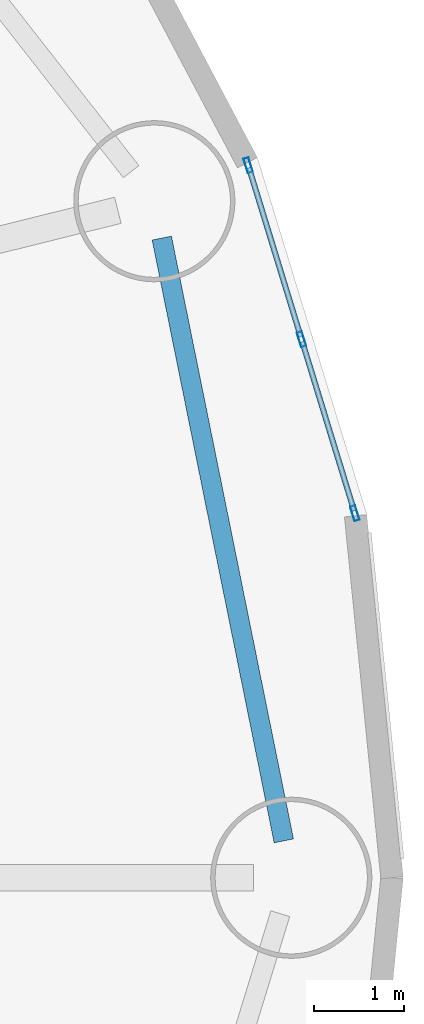
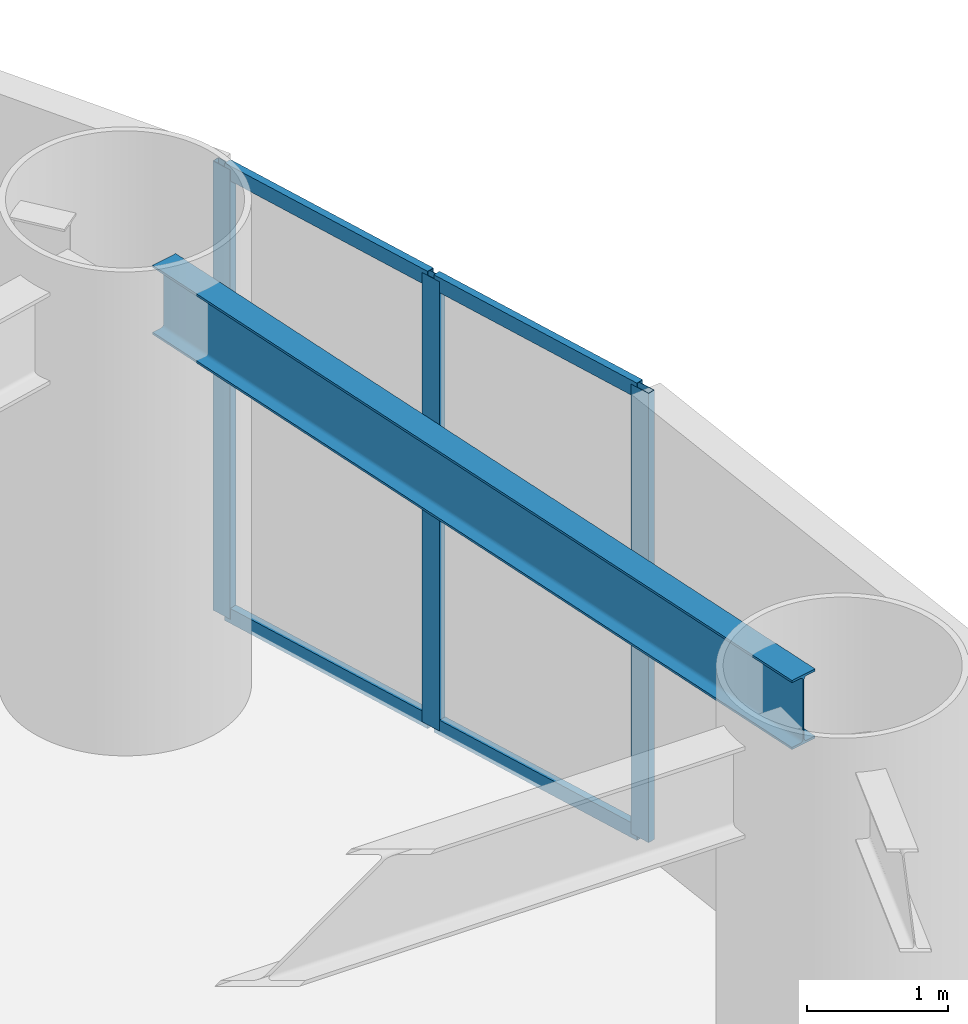
# One storey, part 11 of 27: 7 members, 1 beam, 1 element without a shape of its own.
"""IFC4 building model written with IfcOpenShell, lengths in metres."""

from ifc_helpers import new_model, si_unit, direction, frame, origin, origin_2d, place, context, subcontext, project, spatial, hollow_rectangle, i_section, extrude, source, transform, mapped, material, layer, layer_set, material_profile, profile_set, type_object, element, aggregate, save


model = new_model("IFC4")

# Units and contexts
model_context = context("Model", 3, precision=1e-05, world=origin(), true_north=direction((0.0, 1.0)))
body_context = subcontext(model_context, "Body", "Model", "MODEL_VIEW")
ifc_project = project(units=[si_unit("LENGTHUNIT", "METRE"), si_unit("AREAUNIT", "SQUARE_METRE"), si_unit("VOLUMEUNIT", "CUBIC_METRE"), si_unit("PLANEANGLEUNIT", "RADIAN"), si_unit("MASSUNIT", "GRAM", prefix="KILO")], contexts=[model_context])

# Site, building, storey
site_placement = place(None, origin())
site = spatial("IfcSite", under=ifc_project, at=site_placement, CompositionType="ELEMENT")
building_placement = place(site_placement, origin())
building = spatial("IfcBuilding", under=site, at=building_placement, Name="Linh Dai School and Residence Tower", CompositionType="ELEMENT")
storey_placement = place(building_placement, frame((0.0, 0.0, 18.60009765625)))
storey = spatial("IfcBuildingStorey", under=building, at=storey_placement, Name="L04", CompositionType="ELEMENT", Elevation=18.60009765625)

# Beam
ifc_material_1 = material(Name="Structural Steel S355JR", Category="steel")
ifc_material_profile_1 = material_profile(ifc_material_1, i_section(OverallWidth=0.219970703125, OverallDepth=0.60009765625, WebThickness=0.011962890625, FlangeThickness=0.01904296875, FilletRadius=0.02392578125, at=origin_2d()), Name="IPE 600")
ifc_profile_set_1 = profile_set([ifc_material_profile_1], Name="Structural Steel S355JR")
beam_type = type_object("IfcBeamType", Name="BM-RB60", PredefinedType="BEAM", material=ifc_profile_set_1)
beam_placement = place(storey_placement, frame((67.86669921875, 27.41162109375, 3.599853515625), z_axis=(-0.198405440792, 0.980120034008, 0.0), x_axis=(-0.980120034008, -0.198405440792, 0.0)))
element("IfcBeam", 1, at=beam_placement, inside=storey, type_object=beam_type, Name="L04 Perimeter Elliptical Ring Beam 01", PredefinedType="BEAM", context=body_context, shape_type="SweptSolid", body=[
    extrude(i_section(OverallWidth=0.219970703125, OverallDepth=0.60009765625, WebThickness=0.011962890625, FlangeThickness=0.01904296875, FilletRadius=0.02392578125, at=origin_2d()), origin(), (0.0, 0.0, 1.0), 6.86865234375),
])

# Curtain wall, members
ifc_material_2 = material(Name="Aluminium Anodised Curtain Wall", Category="aluminium")
ifc_layer = layer(ifc_material_2, 0.169921875)
ifc_layer_set = layer_set([ifc_layer], Name="Aluminium Anodised Curtain Wall")
curtain_wall_type = type_object("IfcCurtainWallType", Name="CW-SYS-2", PredefinedType="USERDEFINED", material=ifc_layer_set)
curtain_wall_placement = place(storey_placement, origin())
curtain_wall = element("IfcCurtainWall", 2, at=curtain_wall_placement, inside=storey, type_object=curtain_wall_type, Name="L04 CW2 Curtain Wall 02", ObjectType="UNITISED CURTAIN WALL", PredefinedType="USERDEFINED")
ifc_material_3 = material(Name="Aluminium Alloy 6063-T6", Category="aluminium")
ifc_material_profile_2 = material_profile(ifc_material_3, hollow_rectangle(XDim=0.06005859375, YDim=0.169921875, WallThickness=0.00390625, at=origin_2d()), Name="RHS 170x60x4")
ifc_profile_set_2 = profile_set([ifc_material_profile_2], Name="Aluminium Alloy 6063-T6")
member_type_1 = type_object("IfcMemberType", Name="CW-SYS-2-MUL", PredefinedType="MULLION", material=ifc_profile_set_2)
shared_shape_1 = source(origin(), body_context, "Body", "SweptSolid", [
    extrude(hollow_rectangle(XDim=0.06005859375, YDim=0.169921875, WallThickness=0.00390625, at=origin_2d()), origin(), (0.0, 0.0, 1.0), 3.89990234375),
])
member_1_placement = place(storey_placement, frame((67.468505859375, 34.957763671875, 0.0), z_axis=(0.0, 0.0, 1.0), x_axis=(0.956080668415, 0.293103659962, 0.0)))
member_1 = element("IfcMember", 3, at=member_1_placement, type_object=member_type_1, Name="CW2 mullion 1", PredefinedType="MULLION", context=body_context, shape_type="MappedRepresentation", body=[
    mapped(shared_shape_1, transform((0.0, 0.0, 0.0), x_axis=(1.0, 0.0, 0.0), y_axis=(0.0, 1.0, 0.0), z_axis=(0.0, 0.0, 1.0), scale=1.0)),
])
member_2_placement = place(storey_placement, frame((68.064208984375, 33.0146484375, 0.0), z_axis=(0.0, 0.0, 1.0), x_axis=(0.956080668415, 0.293103659962, 0.0)))
member_2 = element("IfcMember", 4, at=member_2_placement, type_object=member_type_1, Name="CW2 mullion 2", PredefinedType="MULLION", context=body_context, shape_type="MappedRepresentation", body=[
    mapped(shared_shape_1, transform((0.0, 0.0, 0.0), x_axis=(1.0, 0.0, 0.0), y_axis=(0.0, 1.0, 0.0), z_axis=(0.0, 0.0, 1.0), scale=1.0)),
])
member_3_placement = place(storey_placement, frame((68.659912109375, 31.0712890625, 0.0), z_axis=(0.0, 0.0, 1.0), x_axis=(0.956080668415, 0.293103659962, 0.0)))
member_3 = element("IfcMember", 5, at=member_3_placement, type_object=member_type_1, Name="CW2 mullion 3", PredefinedType="MULLION", context=body_context, shape_type="MappedRepresentation", body=[
    mapped(shared_shape_1, transform((0.0, 0.0, 0.0), x_axis=(1.0, 0.0, 0.0), y_axis=(0.0, 1.0, 0.0), z_axis=(0.0, 0.0, 1.0), scale=1.0)),
])
ifc_material_profile_3 = material_profile(ifc_material_3, hollow_rectangle(XDim=0.06005859375, YDim=0.1298828125, WallThickness=0.00390625, at=origin_2d()), Name="RHS 130x60x4")
ifc_profile_set_3 = profile_set([ifc_material_profile_3], Name="Aluminium Alloy 6063-T6")
member_type_2 = type_object("IfcMemberType", Name="CW-SYS-2-TRN", PredefinedType="USERDEFINED", material=ifc_profile_set_3)
shared_shape_2 = source(origin(), body_context, "Body", "SweptSolid", [
    extrude(hollow_rectangle(XDim=0.06005859375, YDim=0.1298828125, WallThickness=0.00390625, at=origin_2d()), origin(), (0.0, 0.0, 1.0), 1.97265625),
])
member_4_placement = place(storey_placement, frame((67.477294921875, 34.92919921875, 0.02978515625), z_axis=(0.293076828505, -0.956088893667, 0.0), x_axis=(0.956088893667, 0.293076828505, 0.0)))
member_4 = element("IfcMember", 6, at=member_4_placement, type_object=member_type_2, Name="CW2 transom 1.1", ObjectType="TRANSOM", PredefinedType="USERDEFINED", context=body_context, shape_type="MappedRepresentation", body=[
    mapped(shared_shape_2, transform((0.0, 0.0, 0.0), x_axis=(1.0, 0.0, 0.0), y_axis=(0.0, 1.0, 0.0), z_axis=(0.0, 0.0, 1.0), scale=1.0)),
])
member_5_placement = place(storey_placement, frame((67.477294921875, 34.92919921875, 3.869873046875), z_axis=(0.293076828505, -0.956088893667, 0.0), x_axis=(0.956088893667, 0.293076828505, 0.0)))
member_5 = element("IfcMember", 7, at=member_5_placement, type_object=member_type_2, Name="CW2 transom 1.2", ObjectType="TRANSOM", PredefinedType="USERDEFINED", context=body_context, shape_type="MappedRepresentation", body=[
    mapped(shared_shape_2, transform((0.0, 0.0, 0.0), x_axis=(1.0, 0.0, 0.0), y_axis=(0.0, 1.0, 0.0), z_axis=(0.0, 0.0, 1.0), scale=1.0)),
])
member_6_placement = place(storey_placement, frame((68.072998046875, 32.98583984375, 0.02978515625), z_axis=(0.293076828505, -0.956088893667, 0.0), x_axis=(0.956088893667, 0.293076828505, 0.0)))
member_6 = element("IfcMember", 8, at=member_6_placement, type_object=member_type_2, Name="CW2 transom 2.1", ObjectType="TRANSOM", PredefinedType="USERDEFINED", context=body_context, shape_type="MappedRepresentation", body=[
    mapped(shared_shape_2, transform((0.0, 0.0, 0.0), x_axis=(1.0, 0.0, 0.0), y_axis=(0.0, 1.0, 0.0), z_axis=(0.0, 0.0, 1.0), scale=1.0)),
])
member_7_placement = place(storey_placement, frame((68.072998046875, 32.98583984375, 3.869873046875), z_axis=(0.293076828505, -0.956088893667, 0.0), x_axis=(0.956088893667, 0.293076828505, 0.0)))
member_7 = element("IfcMember", 9, at=member_7_placement, type_object=member_type_2, Name="CW2 transom 2.2", ObjectType="TRANSOM", PredefinedType="USERDEFINED", context=body_context, shape_type="MappedRepresentation", body=[
    mapped(shared_shape_2, transform((0.0, 0.0, 0.0), x_axis=(1.0, 0.0, 0.0), y_axis=(0.0, 1.0, 0.0), z_axis=(0.0, 0.0, 1.0), scale=1.0)),
])
aggregate(curtain_wall, [member_1, member_2, member_3, member_4, member_5, member_6, member_7])

save(model, "model.ifc")
